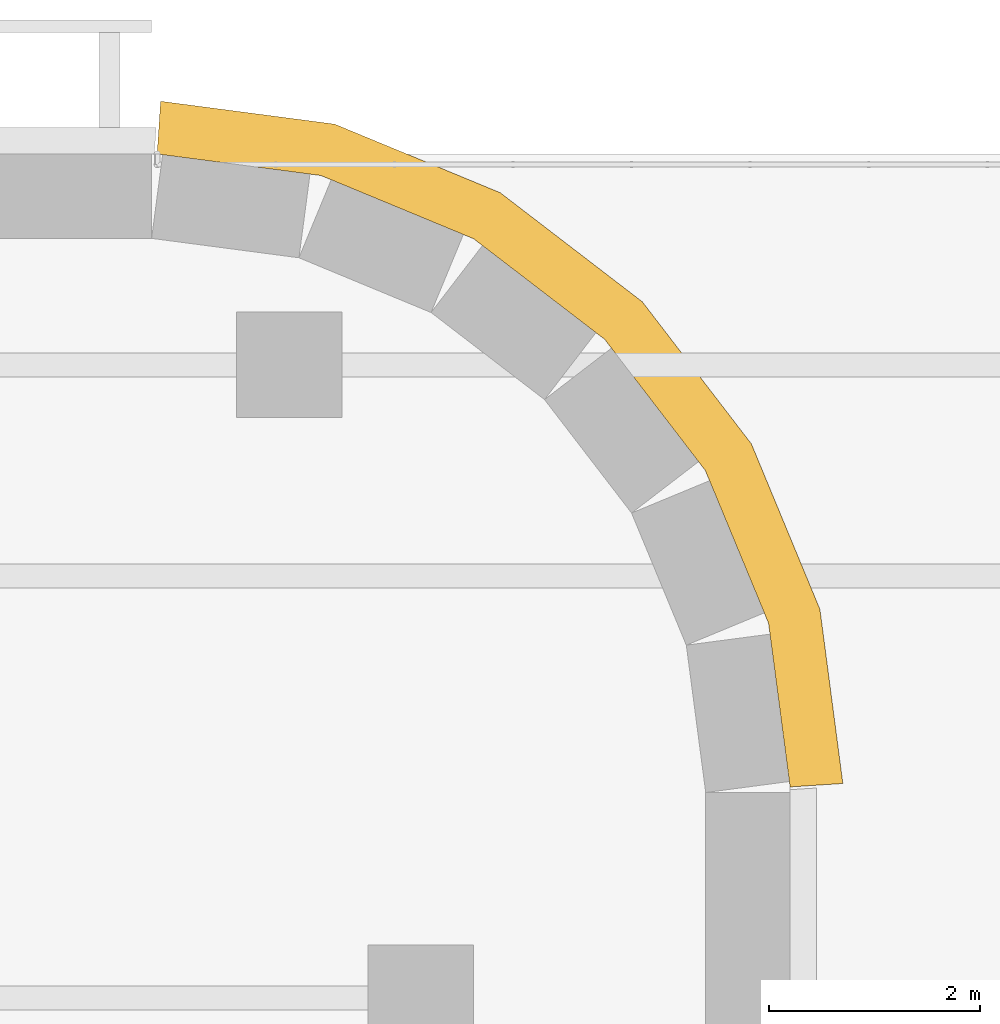
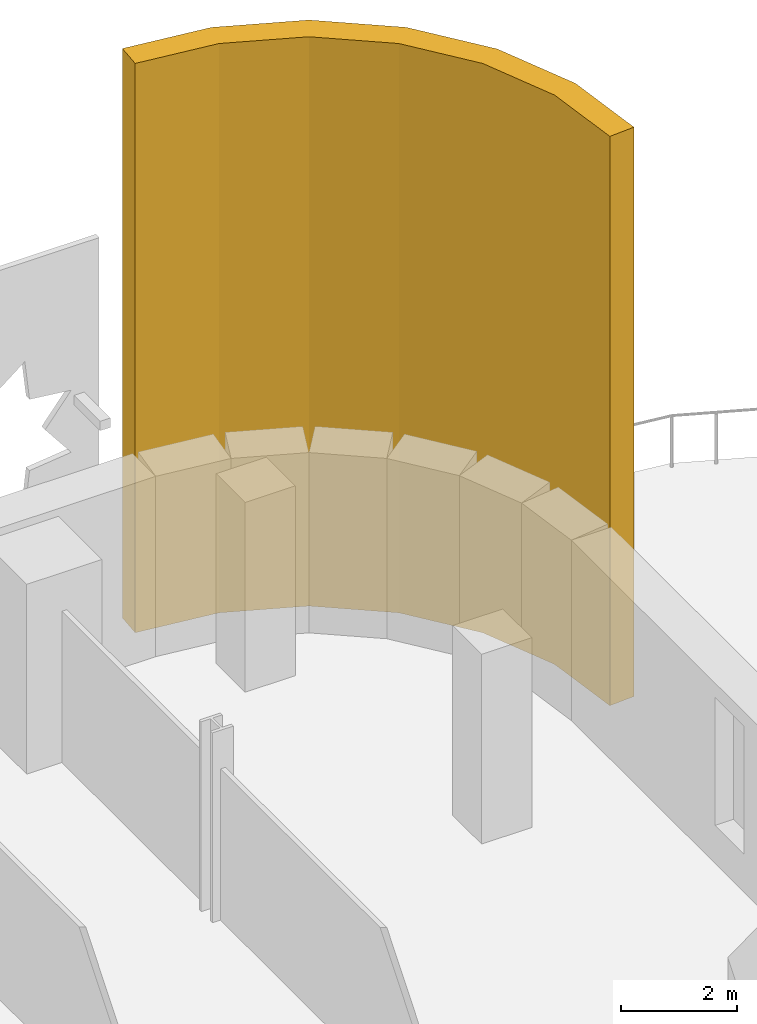
# One storey, part 11 of 11: 1 covering.
"""IFC4 building model written with IfcOpenShell, lengths in metres."""

from ifc_helpers import new_model, si_unit, direction, frame, origin, place, context, subcontext, project, spatial, polyline, outline, extrude, material, layer, layer_set, type_object, element, save


model = new_model("IFC4")

# Units and contexts
model_context = context("Model", 3, precision=1e-05, world=origin(), true_north=direction((0.0, 1.0)))
body_context = subcontext(model_context, "Body", "Model", "MODEL_VIEW")
ifc_project = project(units=[si_unit("LENGTHUNIT", "METRE"), si_unit("AREAUNIT", "SQUARE_METRE"), si_unit("VOLUMEUNIT", "CUBIC_METRE"), si_unit("PLANEANGLEUNIT", "RADIAN"), si_unit("MASSUNIT", "GRAM", prefix="KILO")], contexts=[model_context])

# Site, building, storey
site_placement = place(None, origin())
site = spatial("IfcSite", under=ifc_project, at=site_placement, CompositionType="ELEMENT")
building_placement = place(site_placement, origin())
building = spatial("IfcBuilding", under=site, at=building_placement, Name="Zellij Exchange Tower", CompositionType="ELEMENT")
storey_placement = place(building_placement, frame((0.0, 0.0, 144.5)))
storey = spatial("IfcBuildingStorey", under=building, at=storey_placement, Name="L32", CompositionType="ELEMENT", Elevation=144.5)

# Covering
ifc_material = material(Name="Limestone cladding", Category="masonry")
ifc_layer = layer(ifc_material, 0.5)
ifc_layer_set = layer_set([ifc_layer], Name="Limestone cladding")
covering_type = type_object("IfcCoveringType", Name="ENV-CV12 Stone corner pier 500", PredefinedType="CLADDING", material=ifc_layer_set)
covering_placement = place(storey_placement, origin())
element("IfcCovering", 1, at=covering_placement, inside=storey, type_object=covering_type, Name="Stone corner pier", PredefinedType="CLADDING", context=body_context, shape_type="SweptSolid", body=[
    extrude(outline(polyline([(36.0, 16.0), (35.795654296875, 17.552978515625), (35.1962890625, 19.0), (34.24267578125, 20.24267578125), (33.0, 21.1962890625), (31.552978515625, 21.795654296875), (30.0, 22.0), (30.03271484375, 22.5), (31.683349609375, 22.28271484375), (33.252197265625, 21.6328125), (34.59912109375, 20.59912109375), (35.6328125, 19.252197265625), (36.28271484375, 17.683349609375), (36.5, 16.03271484375), (36.0, 16.0)])), origin(), (0.0, 0.0, 1.0), 12.0),
])

save(model, "model.ifc")
